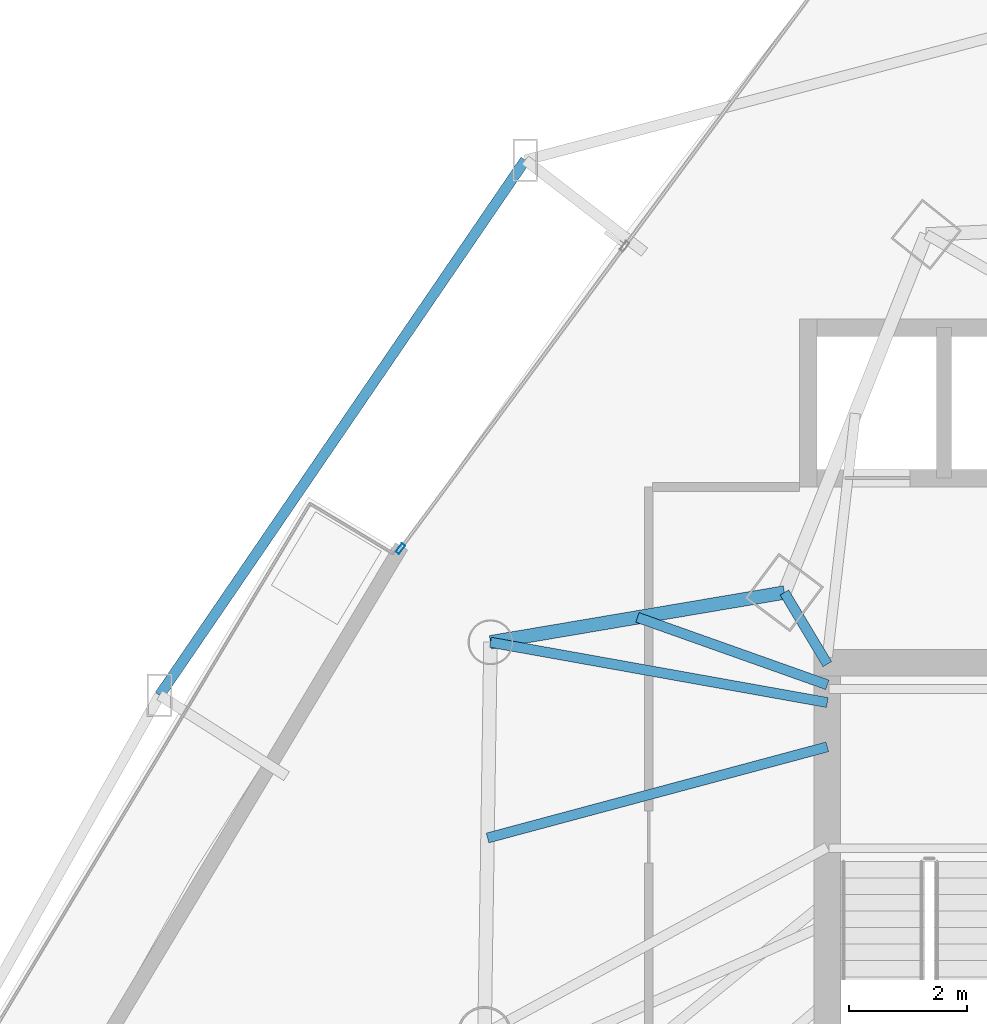
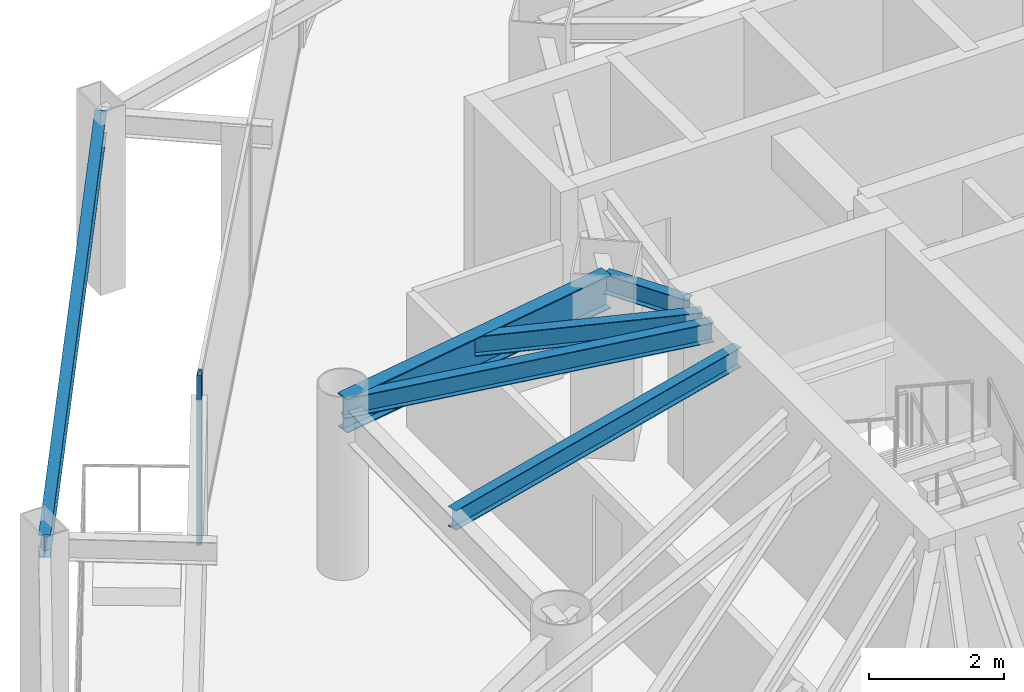
# One storey, part 23 of 38: 6 beams, 1 member, 1 element without a shape of its own.
"""IFC4 building model written with IfcOpenShell, lengths in metres."""

from ifc_helpers import new_model, si_unit, direction, frame, origin, origin_2d, place, context, subcontext, project, spatial, hollow_rectangle, i_section, extrude, material, layer, layer_set, material_profile, profile_set, type_object, element, aggregate, save


model = new_model("IFC4")

# Units and contexts
model_context = context("Model", 3, precision=1e-05, world=origin(), true_north=direction((0.0, 1.0)))
body_context = subcontext(model_context, "Body", "Model", "MODEL_VIEW")
ifc_project = project(units=[si_unit("LENGTHUNIT", "METRE"), si_unit("AREAUNIT", "SQUARE_METRE"), si_unit("VOLUMEUNIT", "CUBIC_METRE"), si_unit("PLANEANGLEUNIT", "RADIAN"), si_unit("MASSUNIT", "GRAM", prefix="KILO")], contexts=[model_context])

# Site, building, storey
site_placement = place(None, origin())
site = spatial("IfcSite", under=ifc_project, at=site_placement, CompositionType="ELEMENT")
building_placement = place(site_placement, origin())
building = spatial("IfcBuilding", under=site, at=building_placement, Name="Orvanel Arch Residences", CompositionType="ELEMENT")
storey_placement = place(building_placement, frame((0.0, 0.0, 46.699951171875)))
storey = spatial("IfcBuildingStorey", under=building, at=storey_placement, Name="L12", CompositionType="ELEMENT", Elevation=46.699951171875)

# Beams
ifc_material_1 = material(Name="Structural steel AS/NZS 3679.1 Grade 300 (300 MPa)", Category="steel")
ifc_material_profile_1 = material_profile(ifc_material_1, i_section(OverallWidth=0.1708984375, OverallDepth=0.35595703125, WebThickness=0.00732421875, FlangeThickness=0.011474609375, at=origin_2d()), Name="360UB50.7")
ifc_profile_set_1 = profile_set([ifc_material_profile_1], Name="Structural steel AS/NZS 3679.1 Grade 300 (300 MPa)")
beam_type_1 = type_object("IfcBeamType", Name="BJ-360UB", PredefinedType="JOIST", material=ifc_profile_set_1)
beam_1_placement = place(storey_placement, frame((26.375, 33.89990234375, 2.882080078125), z_axis=(-0.514064138778, 0.857751748015, 0.0), x_axis=(-0.857751748015, -0.514064138778, 0.0)))
element("IfcBeam", 1, at=beam_1_placement, inside=storey, type_object=beam_type_1, Name="L12 NNW Wing Floor Joist", PredefinedType="JOIST", context=body_context, shape_type="SweptSolid", body=[
    extrude(i_section(OverallWidth=0.1708984375, OverallDepth=0.35595703125, WebThickness=0.00732421875, FlangeThickness=0.011474609375, at=origin_2d()), origin(), (0.0, 0.0, 1.0), 1.414306640625),
])
beam_2_placement = place(storey_placement, frame((26.375, 32.5, 2.882080078125), z_axis=(-0.965844838168, -0.259121107949, 0.0), x_axis=(0.259121107949, -0.965844838168, 0.0)))
element("IfcBeam", 2, at=beam_2_placement, inside=storey, type_object=beam_type_1, Name="L12 WNW Wing Floor Joist", PredefinedType="JOIST", context=body_context, shape_type="SweptSolid", body=[
    extrude(i_section(OverallWidth=0.1708984375, OverallDepth=0.35595703125, WebThickness=0.00732421875, FlangeThickness=0.011474609375, at=origin_2d()), origin(), (0.0, 0.0, 1.0), 5.95849609375),
])
beam_3_placement = place(storey_placement, frame((26.375, 33.25, 2.882080078125), z_axis=(-0.984360855662, 0.176163860766, 0.0), x_axis=(-0.176163860766, -0.984360855662, 0.0)))
element("IfcBeam", 3, at=beam_3_placement, inside=storey, type_object=beam_type_1, Name="L12 LW Wing Floor Joist", PredefinedType="JOIST", context=body_context, shape_type="SweptSolid", body=[
    extrude(i_section(OverallWidth=0.1708984375, OverallDepth=0.35595703125, WebThickness=0.00732421875, FlangeThickness=0.011474609375, at=origin_2d()), origin(), (0.0, 0.0, 1.0), 5.795654296875),
])
beam_4_placement = place(storey_placement, frame((26.375, 33.550048828125, 2.882080078125), z_axis=(-0.942366638377, 0.334582006201, 0.0), x_axis=(-0.334582006201, -0.942366638377, 0.0)))
element("IfcBeam", 4, at=beam_4_placement, inside=storey, type_object=beam_type_1, Name="L12 JADD3 Wing Floor Joist", PredefinedType="JOIST", context=body_context, shape_type="SweptSolid", body=[
    extrude(i_section(OverallWidth=0.1708984375, OverallDepth=0.35595703125, WebThickness=0.00732421875, FlangeThickness=0.011474609375, at=origin_2d()), origin(), (0.0, 0.0, 1.0), 3.412841796875),
])

# Curtain wall, member
ifc_material_2 = material(Name="Bronze-anodised aluminium AA6063-T6", Category="aluminium")
ifc_layer = layer(ifc_material_2, 0.179931640625)
ifc_layer_set = layer_set([ifc_layer], Name="Bronze-anodised aluminium AA6063-T6")
curtain_wall_type = type_object("IfcCurtainWallType", Name="CW2-LOW-SYS", PredefinedType="NOTDEFINED", material=ifc_layer_set)
curtain_wall_placement = place(storey_placement, origin())
curtain_wall = element("IfcCurtainWall", 5, at=curtain_wall_placement, inside=storey, type_object=curtain_wall_type, Name="L12 CW2-LOW-SYS Unitised Curtain Wall", PredefinedType="NOTDEFINED")
ifc_material_profile_2 = material_profile(ifc_material_2, hollow_rectangle(XDim=0.070068359375, YDim=0.179931640625, WallThickness=0.00439453125, at=origin_2d()), Name="ALU180x70x4.5")
ifc_profile_set_2 = profile_set([ifc_material_profile_2], Name="Bronze-anodised aluminium AA6063-T6")
member_type = type_object("IfcMemberType", Name="MUL-180x70", PredefinedType="MULLION", material=ifc_profile_set_2)
member_placement = place(storey_placement, frame((19.144775390625, 35.856201171875, 0.0), z_axis=(0.0, 0.0, 1.0), x_axis=(0.803367768067, -0.595483189714, 0.0)))
member = element("IfcMember", 6, at=member_placement, type_object=member_type, Name="CW-S2 mullion 3", PredefinedType="MULLION", context=body_context, shape_type="SweptSolid", body=[
    extrude(hollow_rectangle(XDim=0.070068359375, YDim=0.179931640625, WallThickness=0.00439453125, at=origin_2d()), origin(), (0.0, 0.0, 1.0), 3.06005859375),
])
aggregate(curtain_wall, [member])

# Beams
ifc_material_profile_3 = material_profile(ifc_material_1, i_section(OverallWidth=0.177978515625, OverallDepth=0.406005859375, WebThickness=0.0078125, FlangeThickness=0.0126953125, at=origin_2d()), Name="410UB59.7")
ifc_profile_set_3 = profile_set([ifc_material_profile_3], Name="Structural steel AS/NZS 3679.1 Grade 300 (300 MPa)")
beam_type_2 = type_object("IfcBeamType", Name="OB-410UB-EXT", PredefinedType="SPANDREL", material=ifc_profile_set_3)
beam_5_placement = place(storey_placement, frame((21.259033203125, 42.43701171875, 2.85693359375), z_axis=(-0.564195053512, -0.82564153335, 0.0), x_axis=(0.82564153335, -0.564195053512, 0.0)))
element("IfcBeam", 7, at=beam_5_placement, inside=storey, type_object=beam_type_2, Name="L12 Outer Perimeter Floor Ring Beam 01", PredefinedType="SPANDREL", context=body_context, shape_type="SweptSolid", body=[
    extrude(i_section(OverallWidth=0.177978515625, OverallDepth=0.406005859375, WebThickness=0.0078125, FlangeThickness=0.0126953125, at=origin_2d()), origin(), (0.0, 0.0, 1.0), 10.976806640625),
])
ifc_material_profile_4 = material_profile(ifc_material_1, i_section(OverallWidth=0.22900390625, OverallDepth=0.612060546875, WebThickness=0.011962890625, FlangeThickness=0.01953125, at=origin_2d()), Name="610UB125")
ifc_profile_set_4 = profile_set([ifc_material_profile_4], Name="Structural steel AS/NZS 3679.1 Grade 300 (300 MPa)")
beam_type_3 = type_object("IfcBeamType", Name="SP-610UB", PredefinedType="SPANDREL", material=ifc_profile_set_4)
beam_6_placement = place(storey_placement, frame((25.64794921875, 35.113037109375, 2.754150390625), z_axis=(-0.985993733897, -0.166782363326, 0.0), x_axis=(0.166782363326, -0.985993733897, 0.0)))
element("IfcBeam", 8, at=beam_6_placement, inside=storey, type_object=beam_type_3, Name="L12 Perimeter Spandrel Beam 19", PredefinedType="SPANDREL", context=body_context, shape_type="SweptSolid", body=[
    extrude(i_section(OverallWidth=0.22900390625, OverallDepth=0.612060546875, WebThickness=0.011962890625, FlangeThickness=0.01953125, at=origin_2d()), origin(), (0.0, 0.0, 1.0), 5.048828125),
])

save(model, "model.ifc")
